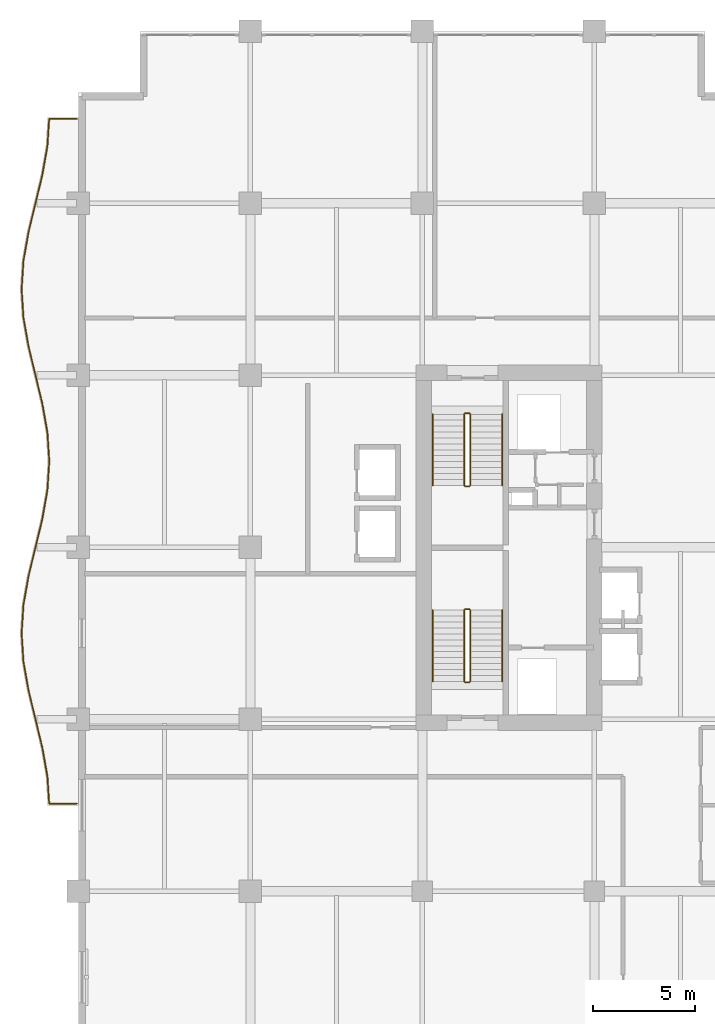
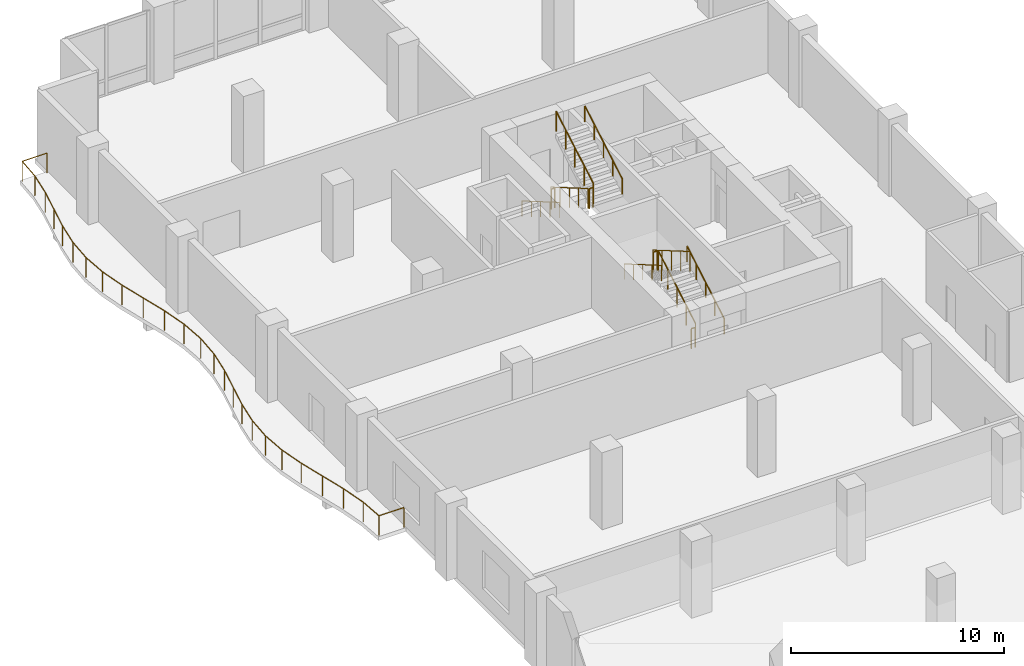
# One storey, part 24 of 25: 13 railings.
"""IFC4 building model written with IfcOpenShell, lengths in metres."""

from ifc_helpers import new_model, si_unit, direction, frame, origin, origin_2d, place, context, subcontext, project, spatial, circle, extrude, material, type_object, element, save


model = new_model("IFC4")

# Units and contexts
model_context = context("Model", 3, precision=1e-05, world=origin(), true_north=direction((0.0, 1.0)))
body_context = subcontext(model_context, "Body", "Model", "MODEL_VIEW")
ifc_project = project(units=[si_unit("LENGTHUNIT", "METRE"), si_unit("AREAUNIT", "SQUARE_METRE"), si_unit("VOLUMEUNIT", "CUBIC_METRE"), si_unit("PLANEANGLEUNIT", "RADIAN"), si_unit("MASSUNIT", "GRAM", prefix="KILO")], contexts=[model_context])

# Site, building, storey
site_placement = place(None, origin())
site = spatial("IfcSite", under=ifc_project, at=site_placement, CompositionType="ELEMENT")
building_placement = place(site_placement, origin())
building = spatial("IfcBuilding", under=site, at=building_placement, Name="Koriwani Terraces Tower", CompositionType="ELEMENT")
storey_placement = place(building_placement, frame((0.0, 0.0, 157.60009765625)))
storey = spatial("IfcBuildingStorey", under=building, at=storey_placement, Name="L38", CompositionType="ELEMENT", Elevation=157.60009765625)

# Railings
ifc_material = material(Name="Steel ASTM A572 Grade 50", Category="steel")
railing_type_1 = type_object("IfcRailingType", Name="GUARD_BALUSTRADE_1150", PredefinedType="BALUSTRADE", material=ifc_material)
railing_1_placement = place(storey_placement, frame((-0.080078125, 37.8798828125, 0.0)))
element("IfcRailing", 1, at=railing_1_placement, inside=storey, type_object=railing_type_1, Name="L38 Balcony Perimeter Safety Balustrade (W)", PredefinedType="BALUSTRADE", context=body_context, shape_type="SweptSolid", body=[
    extrude(circle(Radius=0.02392578125, at=origin_2d()), frame((0.0, 0.0, 1.1259765625), z_axis=(-1.0, 0.0, 0.0), x_axis=(0.0, -1.0, 0.0)), (0.0, 0.0, 1.0), 1.344970703125),
    extrude(circle(Radius=0.02392578125, at=origin_2d()), frame((-1.344970703125, 0.0, 1.1259765625), z_axis=(-0.064500006011, 0.997917706639, 0.0), x_axis=(-0.997917706639, -0.064500006011, 0.0)), (0.0, 0.0, 1.0), 1.332275390625),
    extrude(circle(Radius=0.02392578125, at=origin_2d()), frame((-1.430908203125, 1.32958984375, 1.1259765625), z_axis=(-0.173814583381, 0.984778396698, 0.0), x_axis=(-0.984778396698, -0.173814583381, 0.0)), (0.0, 0.0, 1.0), 1.428466796875),
    extrude(circle(Radius=0.02392578125, at=origin_2d()), frame((-1.67919921875, 2.736328125, 1.1259765625), z_axis=(-0.234289744186, 0.972166814785, 0.0), x_axis=(-0.972166814785, -0.234289744186, 0.0)), (0.0, 0.0, 1.0), 2.880126953125),
    extrude(circle(Radius=0.02392578125, at=origin_2d()), frame((-2.35400390625, 5.536376953125, 1.1259765625), z_axis=(-0.173932985997, 0.984757491153, 0.0), x_axis=(-0.984757491153, -0.173932985997, 0.0)), (0.0, 0.0, 1.0), 1.414794921875),
    extrude(circle(Radius=0.02392578125, at=origin_2d()), frame((-2.60009765625, 6.9296875, 1.1259765625), z_axis=(-0.064309099225, 0.997930027485, 0.0), x_axis=(-0.997930027485, -0.064309099225, 0.0)), (0.0, 0.0, 1.0), 1.393310546875),
    extrude(circle(Radius=0.02392578125, at=origin_2d()), frame((-2.689697265625, 8.320068359375, 1.1259765625), z_axis=(0.064309099225, 0.997930027485, 0.0), x_axis=(-0.997930027485, 0.064309099225, 0.0)), (0.0, 0.0, 1.0), 1.393310546875),
    extrude(circle(Radius=0.02392578125, at=origin_2d()), frame((-2.60009765625, 9.71044921875, 1.1259765625), z_axis=(0.173932985997, 0.984757491153, 0.0), x_axis=(-0.984757491153, 0.173932985997, 0.0)), (0.0, 0.0, 1.0), 1.414794921875),
    extrude(circle(Radius=0.02392578125, at=origin_2d()), frame((-2.35400390625, 11.103759765625, 1.1259765625), z_axis=(0.234289744186, 0.972166814785, 0.0), x_axis=(-0.972166814785, 0.234289744186, 0.0)), (0.0, 0.0, 1.0), 2.880126953125),
    extrude(circle(Radius=0.02392578125, at=origin_2d()), frame((-1.67919921875, 13.90380859375, 1.1259765625), z_axis=(0.173814583381, 0.984778396698, 0.0), x_axis=(-0.984778396698, 0.173814583381, 0.0)), (0.0, 0.0, 1.0), 1.428466796875),
    extrude(circle(Radius=0.02392578125, at=origin_2d()), frame((-1.430908203125, 15.310546875, 1.1259765625), z_axis=(0.064293443969, 0.997931036226, 0.0), x_axis=(-0.997931036226, 0.064293443969, 0.0)), (0.0, 0.0, 1.0), 1.41259765625),
    extrude(circle(Radius=0.02392578125, at=origin_2d()), frame((-1.340087890625, 16.72021484375, 1.1259765625), z_axis=(-0.064304534842, 0.997930321615, 0.0), x_axis=(-0.997930321615, -0.064304534842, 0.0)), (0.0, 0.0, 1.0), 1.412353515625),
    extrude(circle(Radius=0.02392578125, at=origin_2d()), frame((-1.430908203125, 18.129638671875, 1.1259765625), z_axis=(-0.173814583381, 0.984778396698, 0.0), x_axis=(-0.984778396698, -0.173814583381, 0.0)), (0.0, 0.0, 1.0), 1.428466796875),
    extrude(circle(Radius=0.02392578125, at=origin_2d()), frame((-1.67919921875, 19.536376953125, 1.1259765625), z_axis=(-0.234289744186, 0.972166814785, 0.0), x_axis=(-0.972166814785, -0.234289744186, 0.0)), (0.0, 0.0, 1.0), 2.880126953125),
    extrude(circle(Radius=0.02392578125, at=origin_2d()), frame((-2.35400390625, 22.33642578125, 1.1259765625), z_axis=(-0.173932985997, 0.984757491153, 0.0), x_axis=(-0.984757491153, -0.173932985997, 0.0)), (0.0, 0.0, 1.0), 1.414794921875),
    extrude(circle(Radius=0.02392578125, at=origin_2d()), frame((-2.60009765625, 23.729736328125, 1.1259765625), z_axis=(-0.064309099225, 0.997930027485, 0.0), x_axis=(-0.997930027485, -0.064309099225, 0.0)), (0.0, 0.0, 1.0), 1.393310546875),
    extrude(circle(Radius=0.02392578125, at=origin_2d()), frame((-2.689697265625, 25.1201171875, 1.1259765625), z_axis=(0.064309099225, 0.997930027485, 0.0), x_axis=(-0.997930027485, 0.064309099225, 0.0)), (0.0, 0.0, 1.0), 1.393310546875),
    extrude(circle(Radius=0.02392578125, at=origin_2d()), frame((-2.60009765625, 26.510498046875, 1.1259765625), z_axis=(0.173932985997, 0.984757491153, 0.0), x_axis=(-0.984757491153, 0.173932985997, 0.0)), (0.0, 0.0, 1.0), 1.414794921875),
    extrude(circle(Radius=0.02392578125, at=origin_2d()), frame((-2.35400390625, 27.90380859375, 1.1259765625), z_axis=(0.234289744186, 0.972166814785, 0.0), x_axis=(-0.972166814785, 0.234289744186, 0.0)), (0.0, 0.0, 1.0), 2.880126953125),
    extrude(circle(Radius=0.02392578125, at=origin_2d()), frame((-1.67919921875, 30.703857421875, 1.1259765625), z_axis=(0.173814583381, 0.984778396698, 0.0), x_axis=(-0.984778396698, 0.173814583381, 0.0)), (0.0, 0.0, 1.0), 1.428466796875),
    extrude(circle(Radius=0.02392578125, at=origin_2d()), frame((-1.430908203125, 32.110595703125, 1.1259765625), z_axis=(0.064500006011, 0.997917706639, 0.0), x_axis=(-0.997917706639, 0.064500006011, 0.0)), (0.0, 0.0, 1.0), 1.332275390625),
    extrude(circle(Radius=0.02392578125, at=origin_2d()), frame((-1.344970703125, 33.440185546875, 1.1259765625), z_axis=(1.0, 0.0, 0.0), x_axis=(0.0, 1.0, 0.0)), (0.0, 0.0, 1.0), 1.344970703125),
    extrude(circle(Radius=0.02099609375, at=origin_2d()), origin(), (0.0, 0.0, 1.0), 1.101806640625),
    extrude(circle(Radius=0.02099609375, at=origin_2d()), frame((-1.344970703125, 0.0, 0.0)), (0.0, 0.0, 1.0), 1.101806640625),
    extrude(circle(Radius=0.02099609375, at=origin_2d()), frame((-1.430908203125, 1.32958984375, 0.0)), (0.0, 0.0, 1.0), 1.101806640625),
    extrude(circle(Radius=0.02099609375, at=origin_2d()), frame((-1.67919921875, 2.736328125, 0.0)), (0.0, 0.0, 1.0), 1.101806640625),
    extrude(circle(Radius=0.02099609375, at=origin_2d()), frame((-2.0166015625, 4.13623046875, 0.0)), (0.0, 0.0, 1.0), 1.101806640625),
    extrude(circle(Radius=0.02099609375, at=origin_2d()), frame((-2.35400390625, 5.536376953125, 0.0)), (0.0, 0.0, 1.0), 1.101806640625),
    extrude(circle(Radius=0.02099609375, at=origin_2d()), frame((-2.60009765625, 6.9296875, 0.0)), (0.0, 0.0, 1.0), 1.101806640625),
    extrude(circle(Radius=0.02099609375, at=origin_2d()), frame((-2.689697265625, 8.320068359375, 0.0)), (0.0, 0.0, 1.0), 1.101806640625),
    extrude(circle(Radius=0.02099609375, at=origin_2d()), frame((-2.60009765625, 9.71044921875, 0.0)), (0.0, 0.0, 1.0), 1.101806640625),
    extrude(circle(Radius=0.02099609375, at=origin_2d()), frame((-2.35400390625, 11.103759765625, 0.0)), (0.0, 0.0, 1.0), 1.101806640625),
    extrude(circle(Radius=0.02099609375, at=origin_2d()), frame((-2.0166015625, 12.50390625, 0.0)), (0.0, 0.0, 1.0), 1.101806640625),
    extrude(circle(Radius=0.02099609375, at=origin_2d()), frame((-1.67919921875, 13.90380859375, 0.0)), (0.0, 0.0, 1.0), 1.101806640625),
    extrude(circle(Radius=0.02099609375, at=origin_2d()), frame((-1.430908203125, 15.310546875, 0.0)), (0.0, 0.0, 1.0), 1.101806640625),
    extrude(circle(Radius=0.02099609375, at=origin_2d()), frame((-1.340087890625, 16.72021484375, 0.0)), (0.0, 0.0, 1.0), 1.101806640625),
    extrude(circle(Radius=0.02099609375, at=origin_2d()), frame((-1.430908203125, 18.129638671875, 0.0)), (0.0, 0.0, 1.0), 1.101806640625),
    extrude(circle(Radius=0.02099609375, at=origin_2d()), frame((-1.67919921875, 19.536376953125, 0.0)), (0.0, 0.0, 1.0), 1.101806640625),
    extrude(circle(Radius=0.02099609375, at=origin_2d()), frame((-2.0166015625, 20.9365234375, 0.0)), (0.0, 0.0, 1.0), 1.101806640625),
    extrude(circle(Radius=0.02099609375, at=origin_2d()), frame((-2.35400390625, 22.33642578125, 0.0)), (0.0, 0.0, 1.0), 1.101806640625),
    extrude(circle(Radius=0.02099609375, at=origin_2d()), frame((-2.60009765625, 23.729736328125, 0.0)), (0.0, 0.0, 1.0), 1.101806640625),
    extrude(circle(Radius=0.02099609375, at=origin_2d()), frame((-2.689697265625, 25.1201171875, 0.0)), (0.0, 0.0, 1.0), 1.101806640625),
    extrude(circle(Radius=0.02099609375, at=origin_2d()), frame((-2.60009765625, 26.510498046875, 0.0)), (0.0, 0.0, 1.0), 1.101806640625),
    extrude(circle(Radius=0.02099609375, at=origin_2d()), frame((-2.35400390625, 27.90380859375, 0.0)), (0.0, 0.0, 1.0), 1.101806640625),
    extrude(circle(Radius=0.02099609375, at=origin_2d()), frame((-2.0166015625, 29.3037109375, 0.0)), (0.0, 0.0, 1.0), 1.101806640625),
    extrude(circle(Radius=0.02099609375, at=origin_2d()), frame((-1.67919921875, 30.703857421875, 0.0)), (0.0, 0.0, 1.0), 1.101806640625),
    extrude(circle(Radius=0.02099609375, at=origin_2d()), frame((-1.430908203125, 32.110595703125, 0.0)), (0.0, 0.0, 1.0), 1.101806640625),
    extrude(circle(Radius=0.02099609375, at=origin_2d()), frame((-1.344970703125, 33.440185546875, 0.0)), (0.0, 0.0, 1.0), 1.101806640625),
    extrude(circle(Radius=0.02099609375, at=origin_2d()), frame((0.0, 33.440185546875, 0.0)), (0.0, 0.0, 1.0), 1.101806640625),
])
railing_type_2 = type_object("IfcRailingType", Name="GUARD_STAIR_WELL_1120", PredefinedType="GUARDRAIL", material=ifc_material)
railing_2_placement = place(storey_placement, frame((19.14990234375, 43.85009765625, 0.169189453125)))
element("IfcRailing", 2, at=railing_2_placement, inside=storey, type_object=railing_type_2, Name="L38 ST-W1 stair guard 1", PredefinedType="GUARDRAIL", context=body_context, shape_type="SweptSolid", body=[
    extrude(circle(Radius=0.02392578125, at=origin_2d()), frame((0.0, 0.0, 1.1259765625), z_axis=(0.0, 0.863695377172, 0.504014181796), x_axis=(-1.0, 0.0, 0.0)), (0.0, 0.0, 1.0), 4.029296875),
    extrude(circle(Radius=0.02099609375, at=origin_2d()), origin(), (0.0, 0.0, 1.0), 1.101806640625),
    extrude(circle(Radius=0.02099609375, at=origin_2d()), frame((0.0, 0.8701171875, 0.5078125)), (0.0, 0.0, 1.0), 1.101806640625),
    extrude(circle(Radius=0.02099609375, at=origin_2d()), frame((0.0, 1.739990234375, 1.015380859375)), (0.0, 0.0, 1.0), 1.101806640625),
    extrude(circle(Radius=0.02099609375, at=origin_2d()), frame((0.0, 2.60986328125, 1.52294921875)), (0.0, 0.0, 1.0), 1.101806640625),
    extrude(circle(Radius=0.02099609375, at=origin_2d()), frame((0.0, 3.47998046875, 2.03076171875)), (0.0, 0.0, 1.0), 1.101806640625),
])
railing_3_placement = place(storey_placement, frame((19.10009765625, 47.3798828125, 2.199951171875)))
element("IfcRailing", 3, at=railing_3_placement, inside=storey, type_object=railing_type_2, Name="L38 ST-W1 stair guard 2", PredefinedType="GUARDRAIL", context=body_context, shape_type="SweptSolid", body=[
    extrude(circle(Radius=0.02392578125, at=origin_2d()), frame((0.0, 0.0, 1.1259765625), z_axis=(-1.0, 0.0, 0.0), x_axis=(0.0, -1.0, 0.0)), (0.0, 0.0, 1.0), 0.2001953125),
    extrude(circle(Radius=0.02099609375, at=origin_2d()), origin(), (0.0, 0.0, 1.0), 1.101806640625),
    extrude(circle(Radius=0.02099609375, at=origin_2d()), frame((-0.2001953125, 0.0, 0.0)), (0.0, 0.0, 1.0), 1.101806640625),
])
railing_4_placement = place(storey_placement, frame((18.85009765625, 47.330078125, 2.369140625)))
element("IfcRailing", 4, at=railing_4_placement, inside=storey, type_object=railing_type_2, Name="L38 ST-W1 stair guard 3", PredefinedType="GUARDRAIL", context=body_context, shape_type="SweptSolid", body=[
    extrude(circle(Radius=0.02392578125, at=origin_2d()), frame((0.0, 0.0, 1.1259765625), z_axis=(0.0, -0.863695377172, 0.504014181796), x_axis=(1.0, 0.0, 0.0)), (0.0, 0.0, 1.0), 4.029296875),
    extrude(circle(Radius=0.02099609375, at=origin_2d()), origin(), (0.0, 0.0, 1.0), 1.101806640625),
    extrude(circle(Radius=0.02099609375, at=origin_2d()), frame((0.0, -0.8701171875, 0.5078125)), (0.0, 0.0, 1.0), 1.101806640625),
    extrude(circle(Radius=0.02099609375, at=origin_2d()), frame((0.0, -1.739990234375, 1.015380859375)), (0.0, 0.0, 1.0), 1.101806640625),
    extrude(circle(Radius=0.02099609375, at=origin_2d()), frame((0.0, -2.60986328125, 1.52294921875)), (0.0, 0.0, 1.0), 1.101806640625),
    extrude(circle(Radius=0.02099609375, at=origin_2d()), frame((0.0, -3.47998046875, 2.03076171875)), (0.0, 0.0, 1.0), 1.101806640625),
])
railing_5_placement = place(storey_placement, frame((19.10009765625, 43.800048828125, 0.0)))
element("IfcRailing", 5, at=railing_5_placement, inside=storey, type_object=railing_type_2, Name="L38 ST-W1 stair guard 4", PredefinedType="GUARDRAIL", context=body_context, shape_type="SweptSolid", body=[
    extrude(circle(Radius=0.02392578125, at=origin_2d()), frame((0.0, 0.0, 1.1259765625), z_axis=(-1.0, 0.0, 0.0), x_axis=(0.0, -1.0, 0.0)), (0.0, 0.0, 1.0), 0.2001953125),
    extrude(circle(Radius=0.02099609375, at=origin_2d()), origin(), (0.0, 0.0, 1.0), 1.101806640625),
    extrude(circle(Radius=0.02099609375, at=origin_2d()), frame((-0.2001953125, 0.0, 0.0)), (0.0, 0.0, 1.0), 1.101806640625),
])
railing_6_placement = place(storey_placement, frame((18.85009765625, 56.89990234375, 0.169189453125)))
element("IfcRailing", 6, at=railing_6_placement, inside=storey, type_object=railing_type_2, Name="L38 ST-W2 stair guard 1", PredefinedType="GUARDRAIL", context=body_context, shape_type="SweptSolid", body=[
    extrude(circle(Radius=0.02392578125, at=origin_2d()), frame((0.0, 0.0, 1.1259765625), z_axis=(0.0, -0.863695377172, 0.504014181796), x_axis=(1.0, 0.0, 0.0)), (0.0, 0.0, 1.0), 4.029296875),
    extrude(circle(Radius=0.02099609375, at=origin_2d()), origin(), (0.0, 0.0, 1.0), 1.101806640625),
    extrude(circle(Radius=0.02099609375, at=origin_2d()), frame((0.0, -0.8701171875, 0.5078125)), (0.0, 0.0, 1.0), 1.101806640625),
    extrude(circle(Radius=0.02099609375, at=origin_2d()), frame((0.0, -1.739990234375, 1.015380859375)), (0.0, 0.0, 1.0), 1.101806640625),
    extrude(circle(Radius=0.02099609375, at=origin_2d()), frame((0.0, -2.60986328125, 1.52294921875)), (0.0, 0.0, 1.0), 1.101806640625),
    extrude(circle(Radius=0.02099609375, at=origin_2d()), frame((0.0, -3.47998046875, 2.03076171875)), (0.0, 0.0, 1.0), 1.101806640625),
])
railing_7_placement = place(storey_placement, frame((18.89990234375, 53.3701171875, 2.199951171875)))
element("IfcRailing", 7, at=railing_7_placement, inside=storey, type_object=railing_type_2, Name="L38 ST-W2 stair guard 2", PredefinedType="GUARDRAIL", context=body_context, shape_type="SweptSolid", body=[
    extrude(circle(Radius=0.02392578125, at=origin_2d()), frame((0.0, 0.0, 1.1259765625), z_axis=(1.0, 0.0, 0.0), x_axis=(0.0, 1.0, 0.0)), (0.0, 0.0, 1.0), 0.2001953125),
    extrude(circle(Radius=0.02099609375, at=origin_2d()), origin(), (0.0, 0.0, 1.0), 1.101806640625),
    extrude(circle(Radius=0.02099609375, at=origin_2d()), frame((0.2001953125, 0.0, 0.0)), (0.0, 0.0, 1.0), 1.101806640625),
])
railing_8_placement = place(storey_placement, frame((19.14990234375, 53.419921875, 2.369140625)))
element("IfcRailing", 8, at=railing_8_placement, inside=storey, type_object=railing_type_2, Name="L38 ST-W2 stair guard 3", PredefinedType="GUARDRAIL", context=body_context, shape_type="SweptSolid", body=[
    extrude(circle(Radius=0.02392578125, at=origin_2d()), frame((0.0, 0.0, 1.1259765625), z_axis=(0.0, 0.863695377172, 0.504014181796), x_axis=(-1.0, 0.0, 0.0)), (0.0, 0.0, 1.0), 4.029296875),
    extrude(circle(Radius=0.02099609375, at=origin_2d()), origin(), (0.0, 0.0, 1.0), 1.101806640625),
    extrude(circle(Radius=0.02099609375, at=origin_2d()), frame((0.0, 0.8701171875, 0.5078125)), (0.0, 0.0, 1.0), 1.101806640625),
    extrude(circle(Radius=0.02099609375, at=origin_2d()), frame((0.0, 1.739990234375, 1.015380859375)), (0.0, 0.0, 1.0), 1.101806640625),
    extrude(circle(Radius=0.02099609375, at=origin_2d()), frame((0.0, 2.60986328125, 1.52294921875)), (0.0, 0.0, 1.0), 1.101806640625),
    extrude(circle(Radius=0.02099609375, at=origin_2d()), frame((0.0, 3.47998046875, 2.03076171875)), (0.0, 0.0, 1.0), 1.101806640625),
])
railing_9_placement = place(storey_placement, frame((18.89990234375, 56.949951171875, 0.0)))
element("IfcRailing", 9, at=railing_9_placement, inside=storey, type_object=railing_type_2, Name="L38 ST-W2 stair guard 4", PredefinedType="GUARDRAIL", context=body_context, shape_type="SweptSolid", body=[
    extrude(circle(Radius=0.02392578125, at=origin_2d()), frame((0.0, 0.0, 1.1259765625), z_axis=(1.0, 0.0, 0.0), x_axis=(0.0, 1.0, 0.0)), (0.0, 0.0, 1.0), 0.2001953125),
    extrude(circle(Radius=0.02099609375, at=origin_2d()), origin(), (0.0, 0.0, 1.0), 1.101806640625),
    extrude(circle(Radius=0.02099609375, at=origin_2d()), frame((0.2001953125, 0.0, 0.0)), (0.0, 0.0, 1.0), 1.101806640625),
])
railing_type_3 = type_object("IfcRailingType", Name="HANDRAIL_STAIR_920", PredefinedType="HANDRAIL", material=ifc_material)
railing_10_placement = place(storey_placement, frame((20.699951171875, 43.85009765625, 0.169189453125)))
element("IfcRailing", 10, at=railing_10_placement, inside=storey, type_object=railing_type_3, Name="L38 ST-W1 stair handrail 1", PredefinedType="HANDRAIL", context=body_context, shape_type="SweptSolid", body=[
    extrude(circle(Radius=0.02392578125, at=origin_2d()), frame((0.0, 0.0, 0.8759765625), z_axis=(0.0, 0.863695377172, 0.504014181796), x_axis=(-1.0, 0.0, 0.0)), (0.0, 0.0, 1.0), 4.029296875),
    extrude(circle(Radius=0.02099609375, at=origin_2d()), origin(), (0.0, 0.0, 1.0), 0.851806640625),
    extrude(circle(Radius=0.02099609375, at=origin_2d()), frame((0.0, 0.8701171875, 0.5078125)), (0.0, 0.0, 1.0), 0.851806640625),
    extrude(circle(Radius=0.02099609375, at=origin_2d()), frame((0.0, 1.739990234375, 1.015380859375)), (0.0, 0.0, 1.0), 0.851806640625),
    extrude(circle(Radius=0.02099609375, at=origin_2d()), frame((0.0, 2.60986328125, 1.52294921875)), (0.0, 0.0, 1.0), 0.851806640625),
    extrude(circle(Radius=0.02099609375, at=origin_2d()), frame((0.0, 3.47998046875, 2.03076171875)), (0.0, 0.0, 1.0), 0.851806640625),
])
for number, where, name in (
    (11, (17.300048828125, 47.330078125, 2.369140625), "L38 ST-W1 stair handrail 2"),
    (12, (17.300048828125, 56.89990234375, 0.169189453125), "L38 ST-W2 stair handrail 1"),
):
    element("IfcRailing", number, at=place(storey_placement, frame(where)), inside=storey, type_object=railing_type_3, Name=name, PredefinedType="HANDRAIL", context=body_context, shape_type="SweptSolid", body=[
        extrude(circle(Radius=0.02392578125, at=origin_2d()), frame((0.0, 0.0, 0.8759765625), z_axis=(0.0, -0.863695377172, 0.504014181796), x_axis=(1.0, 0.0, 0.0)), (0.0, 0.0, 1.0), 4.029296875),
        extrude(circle(Radius=0.02099609375, at=origin_2d()), origin(), (0.0, 0.0, 1.0), 0.851806640625),
        extrude(circle(Radius=0.02099609375, at=origin_2d()), frame((0.0, -0.8701171875, 0.5078125)), (0.0, 0.0, 1.0), 0.851806640625),
        extrude(circle(Radius=0.02099609375, at=origin_2d()), frame((0.0, -1.739990234375, 1.015380859375)), (0.0, 0.0, 1.0), 0.851806640625),
        extrude(circle(Radius=0.02099609375, at=origin_2d()), frame((0.0, -2.60986328125, 1.52294921875)), (0.0, 0.0, 1.0), 0.851806640625),
        extrude(circle(Radius=0.02099609375, at=origin_2d()), frame((0.0, -3.47998046875, 2.03076171875)), (0.0, 0.0, 1.0), 0.851806640625),
    ])
railing_11_placement = place(storey_placement, frame((20.699951171875, 53.419921875, 2.369140625)))
element("IfcRailing", 13, at=railing_11_placement, inside=storey, type_object=railing_type_3, Name="L38 ST-W2 stair handrail 2", PredefinedType="HANDRAIL", context=body_context, shape_type="SweptSolid", body=[
    extrude(circle(Radius=0.02392578125, at=origin_2d()), frame((0.0, 0.0, 0.8759765625), z_axis=(0.0, 0.863695377172, 0.504014181796), x_axis=(-1.0, 0.0, 0.0)), (0.0, 0.0, 1.0), 4.029296875),
    extrude(circle(Radius=0.02099609375, at=origin_2d()), origin(), (0.0, 0.0, 1.0), 0.851806640625),
    extrude(circle(Radius=0.02099609375, at=origin_2d()), frame((0.0, 0.8701171875, 0.5078125)), (0.0, 0.0, 1.0), 0.851806640625),
    extrude(circle(Radius=0.02099609375, at=origin_2d()), frame((0.0, 1.739990234375, 1.015380859375)), (0.0, 0.0, 1.0), 0.851806640625),
    extrude(circle(Radius=0.02099609375, at=origin_2d()), frame((0.0, 2.60986328125, 1.52294921875)), (0.0, 0.0, 1.0), 0.851806640625),
    extrude(circle(Radius=0.02099609375, at=origin_2d()), frame((0.0, 3.47998046875, 2.03076171875)), (0.0, 0.0, 1.0), 0.851806640625),
])

save(model, "model.ifc")
